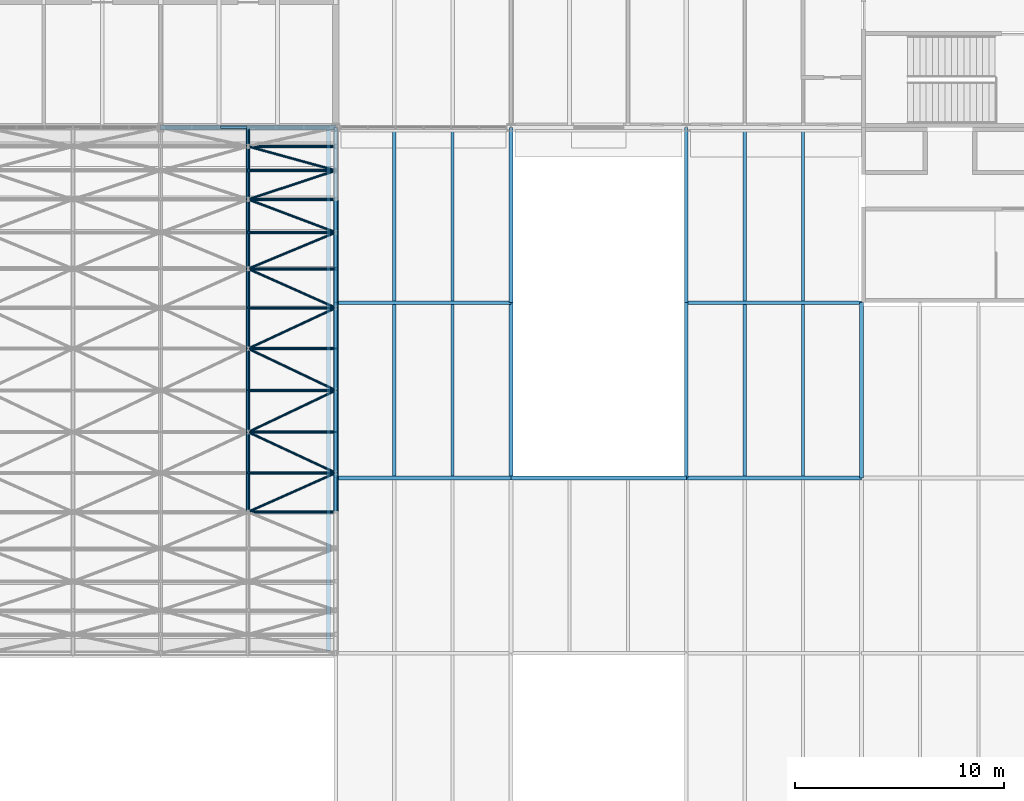
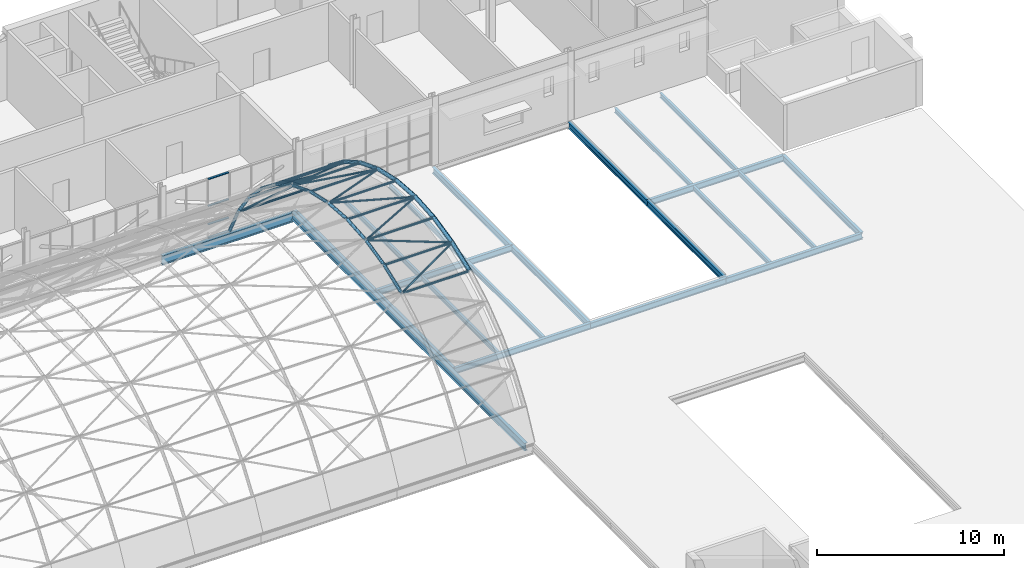
# One storey, part 57 of 121: 44 members, 22 beams, 1 element without a shape of its own.
"""IFC4 building model written with IfcOpenShell, lengths in metres."""

from ifc_helpers import new_model, si_unit, direction, frame, origin, origin_2d, place, context, subcontext, project, spatial, rectangle, hollow_circle, i_section, extrude, material, layer, layer_set, material_profile, profile_set, type_object, element, aggregate, save


model = new_model("IFC4")

# Units and contexts
model_context = context("Model", 3, precision=1e-05, world=origin(), true_north=direction((0.0, 1.0)))
body_context = subcontext(model_context, "Body", "Model", "MODEL_VIEW")
ifc_project = project(units=[si_unit("LENGTHUNIT", "METRE"), si_unit("AREAUNIT", "SQUARE_METRE"), si_unit("VOLUMEUNIT", "CUBIC_METRE"), si_unit("PLANEANGLEUNIT", "RADIAN"), si_unit("MASSUNIT", "GRAM", prefix="KILO")], contexts=[model_context])

# Site, building, storey
site_placement = place(None, origin())
site = spatial("IfcSite", under=ifc_project, at=site_placement, CompositionType="ELEMENT")
building_placement = place(site_placement, origin())
building = spatial("IfcBuilding", under=site, at=building_placement, Name="Ardhachandra Cancer Care Centre", CompositionType="ELEMENT")
storey_placement = place(building_placement, frame((0.0, 0.0, 9.0)))
storey = spatial("IfcBuildingStorey", under=building, at=storey_placement, Name="L02", CompositionType="ELEMENT", Elevation=9.0)

# Beams
ifc_material_1 = material(Name="Steel E350 (IS 2062)", Category="steel")
ifc_material_profile_1 = material_profile(ifc_material_1, i_section(OverallWidth=0.152099609375, OverallDepth=0.303955078125, WebThickness=0.008056640625, FlangeThickness=0.0126953125, FilletRadius=0.014892578125, at=origin_2d()), Name="NPB 300x150x49.32")
ifc_profile_set_1 = profile_set([ifc_material_profile_1], Name="Steel E350 (IS 2062)")
beam_type_1 = type_object("IfcBeamType", Name="Beam NPB 300x150x49.32", PredefinedType="BEAM", material=ifc_profile_set_1)
beam_1_placement = place(storey_placement, frame((114.39990234375, 63.090087890625, -0.35205078125), z_axis=(0.0, 1.0, 0.0), x_axis=(-1.0, 0.0, 0.0)))
element("IfcBeam", 1, at=beam_1_placement, inside=storey, type_object=beam_type_1, Name="Secondary G13-H13@2800", PredefinedType="BEAM", context=body_context, shape_type="SweptSolid", body=[
    extrude(i_section(OverallWidth=0.152099609375, OverallDepth=0.303955078125, WebThickness=0.008056640625, FlangeThickness=0.0126953125, FilletRadius=0.014892578125, at=origin_2d()), origin(), (0.0, 0.0, 1.0), 8.219970703125),
])
beam_2_placement = place(storey_placement, frame((114.39990234375, 71.489990234375, -0.35205078125), z_axis=(0.0, 1.0, 0.0), x_axis=(-1.0, 0.0, 0.0)))
element("IfcBeam", 2, at=beam_2_placement, inside=storey, type_object=beam_type_1, Name="Secondary H13-J13@2800", PredefinedType="BEAM", context=body_context, shape_type="SweptSolid", body=[
    extrude(i_section(OverallWidth=0.152099609375, OverallDepth=0.303955078125, WebThickness=0.008056640625, FlangeThickness=0.0126953125, FilletRadius=0.014892578125, at=origin_2d()), origin(), (0.0, 0.0, 1.0), 8.22412109375),
])
beam_3_placement = place(storey_placement, frame((117.199951171875, 63.090087890625, -0.35205078125), z_axis=(0.0, 1.0, 0.0), x_axis=(-1.0, 0.0, 0.0)))
element("IfcBeam", 3, at=beam_3_placement, inside=storey, type_object=beam_type_1, Name="Secondary G13-H13@5600", PredefinedType="BEAM", context=body_context, shape_type="SweptSolid", body=[
    extrude(i_section(OverallWidth=0.152099609375, OverallDepth=0.303955078125, WebThickness=0.008056640625, FlangeThickness=0.0126953125, FilletRadius=0.014892578125, at=origin_2d()), origin(), (0.0, 0.0, 1.0), 8.219970703125),
])
beam_4_placement = place(storey_placement, frame((117.199951171875, 71.489990234375, -0.35205078125), z_axis=(0.0, 1.0, 0.0), x_axis=(-1.0, 0.0, 0.0)))
element("IfcBeam", 4, at=beam_4_placement, inside=storey, type_object=beam_type_1, Name="Secondary H13-J13@5600", PredefinedType="BEAM", context=body_context, shape_type="SweptSolid", body=[
    extrude(i_section(OverallWidth=0.152099609375, OverallDepth=0.303955078125, WebThickness=0.008056640625, FlangeThickness=0.0126953125, FilletRadius=0.014892578125, at=origin_2d()), origin(), (0.0, 0.0, 1.0), 8.22412109375),
])
beam_5_placement = place(storey_placement, frame((131.199951171875, 63.090087890625, -0.35205078125), z_axis=(0.0, 1.0, 0.0), x_axis=(-1.0, 0.0, 0.0)))
element("IfcBeam", 5, at=beam_5_placement, inside=storey, type_object=beam_type_1, Name="Secondary G15-H15@2800", PredefinedType="BEAM", context=body_context, shape_type="SweptSolid", body=[
    extrude(i_section(OverallWidth=0.152099609375, OverallDepth=0.303955078125, WebThickness=0.008056640625, FlangeThickness=0.0126953125, FilletRadius=0.014892578125, at=origin_2d()), origin(), (0.0, 0.0, 1.0), 8.219970703125),
])
beam_6_placement = place(storey_placement, frame((131.199951171875, 71.489990234375, -0.35205078125), z_axis=(0.0, 1.0, 0.0), x_axis=(-1.0, 0.0, 0.0)))
element("IfcBeam", 6, at=beam_6_placement, inside=storey, type_object=beam_type_1, Name="Secondary H15-J15@2800", PredefinedType="BEAM", context=body_context, shape_type="SweptSolid", body=[
    extrude(i_section(OverallWidth=0.152099609375, OverallDepth=0.303955078125, WebThickness=0.008056640625, FlangeThickness=0.0126953125, FilletRadius=0.014892578125, at=origin_2d()), origin(), (0.0, 0.0, 1.0), 8.22412109375),
])
beam_7_placement = place(storey_placement, frame((134.0, 63.090087890625, -0.35205078125), z_axis=(0.0, 1.0, 0.0), x_axis=(-1.0, 0.0, 0.0)))
element("IfcBeam", 7, at=beam_7_placement, inside=storey, type_object=beam_type_1, Name="Secondary G15-H15@5600", PredefinedType="BEAM", context=body_context, shape_type="SweptSolid", body=[
    extrude(i_section(OverallWidth=0.152099609375, OverallDepth=0.303955078125, WebThickness=0.008056640625, FlangeThickness=0.0126953125, FilletRadius=0.014892578125, at=origin_2d()), origin(), (0.0, 0.0, 1.0), 8.219970703125),
])
beam_8_placement = place(storey_placement, frame((134.0, 71.489990234375, -0.35205078125), z_axis=(0.0, 1.0, 0.0), x_axis=(-1.0, 0.0, 0.0)))
element("IfcBeam", 8, at=beam_8_placement, inside=storey, type_object=beam_type_1, Name="Secondary H15-J15@5600", PredefinedType="BEAM", context=body_context, shape_type="SweptSolid", body=[
    extrude(i_section(OverallWidth=0.152099609375, OverallDepth=0.303955078125, WebThickness=0.008056640625, FlangeThickness=0.0126953125, FilletRadius=0.014892578125, at=origin_2d()), origin(), (0.0, 0.0, 1.0), 8.22412109375),
])
ifc_material_2 = material(Name="Steel E350 (IS 2062)", Category="steel")
ifc_material_profile_2 = material_profile(ifc_material_2, i_section(OverallWidth=0.172119140625, OverallDepth=0.364013671875, WebThickness=0.00927734375, FlangeThickness=0.0146484375, FilletRadius=0.01806640625, at=origin_2d()), Name="NPB 350x170x66.04")
ifc_profile_set_2 = profile_set([ifc_material_profile_2], Name="Steel E350 (IS 2062)")
beam_type_2 = type_object("IfcBeamType", Name="Beam NPB 350x170x66.04", PredefinedType="BEAM", material=ifc_profile_set_2)
beam_9_placement = place(storey_placement, frame((111.60009765625, 63.0, -0.382080078125), z_axis=(0.0, 1.0, 0.0), x_axis=(-1.0, 0.0, 0.0)))
element("IfcBeam", 9, at=beam_9_placement, inside=storey, type_object=beam_type_2, Name="Edge girder G13-H13", PredefinedType="BEAM", context=body_context, shape_type="SweptSolid", body=[
    extrude(i_section(OverallWidth=0.172119140625, OverallDepth=0.364013671875, WebThickness=0.00927734375, FlangeThickness=0.0146484375, FilletRadius=0.01806640625, at=origin_2d()), origin(), (0.0, 0.0, 1.0), 8.39990234375),
])
beam_10_placement = place(storey_placement, frame((111.60009765625, 71.39990234375, -0.382080078125), z_axis=(0.0, 1.0, 0.0), x_axis=(-1.0, 0.0, 0.0)))
element("IfcBeam", 10, at=beam_10_placement, inside=storey, type_object=beam_type_2, Name="Edge girder H13-J13", PredefinedType="BEAM", context=body_context, shape_type="SweptSolid", body=[
    extrude(i_section(OverallWidth=0.172119140625, OverallDepth=0.364013671875, WebThickness=0.00927734375, FlangeThickness=0.0146484375, FilletRadius=0.01806640625, at=origin_2d()), origin(), (0.0, 0.0, 1.0), 8.400146484375),
])
ifc_material_3 = material(Name="Steel E350 (IS 2062)", Category="steel")
ifc_material_profile_3 = material_profile(ifc_material_3, i_section(OverallWidth=0.179931640625, OverallDepth=0.39990234375, WebThickness=0.008544921875, FlangeThickness=0.013427734375, FilletRadius=0.02099609375, at=origin_2d()), Name="NPB 400x180x66.30")
ifc_profile_set_3 = profile_set([ifc_material_profile_3], Name="Steel E350 (IS 2062)")
beam_type_3 = type_object("IfcBeamType", Name="Beam NPB 400x180x66.30", PredefinedType="BEAM", material=ifc_profile_set_3)
for number, where, z_axis, x_axis, name in (
    (11, (111.60009765625, 63.0, -0.39990234375), (1.0, 0.0, 0.0), (0.0, 1.0, 0.0), "Girder G13-G14"),
    (12, (120.0, 63.0, -0.39990234375), (1.0, 0.0, 0.0), (0.0, 1.0, 0.0), "Girder G14-G15"),
):
    element("IfcBeam", number, at=place(storey_placement, frame(where, z_axis=z_axis, x_axis=x_axis)), inside=storey, type_object=beam_type_3, Name=name, PredefinedType="BEAM", context=body_context, shape_type="SweptSolid", body=[
        extrude(i_section(OverallWidth=0.179931640625, OverallDepth=0.39990234375, WebThickness=0.008544921875, FlangeThickness=0.013427734375, FilletRadius=0.02099609375, at=origin_2d()), origin(), (0.0, 0.0, 1.0), 8.39990234375),
    ])
beam_11_placement = place(storey_placement, frame((128.39990234375, 63.0, -0.39990234375), z_axis=(1.0, 0.0, 0.0), x_axis=(0.0, 1.0, 0.0)))
element("IfcBeam", 13, at=beam_11_placement, inside=storey, type_object=beam_type_3, Name="Girder G15-G16", PredefinedType="BEAM", context=body_context, shape_type="SweptSolid", body=[
    extrude(i_section(OverallWidth=0.179931640625, OverallDepth=0.39990234375, WebThickness=0.008544921875, FlangeThickness=0.013427734375, FilletRadius=0.02099609375, at=origin_2d()), origin(), (0.0, 0.0, 1.0), 8.400146484375),
])
beam_12_placement = place(storey_placement, frame((111.60009765625, 71.39990234375, -0.39990234375), z_axis=(1.0, 0.0, 0.0), x_axis=(0.0, 1.0, 0.0)))
element("IfcBeam", 14, at=beam_12_placement, inside=storey, type_object=beam_type_3, Name="Girder H13-H14", PredefinedType="BEAM", context=body_context, shape_type="SweptSolid", body=[
    extrude(i_section(OverallWidth=0.179931640625, OverallDepth=0.39990234375, WebThickness=0.008544921875, FlangeThickness=0.013427734375, FilletRadius=0.02099609375, at=origin_2d()), origin(), (0.0, 0.0, 1.0), 8.39990234375),
])
beam_13_placement = place(storey_placement, frame((128.39990234375, 71.39990234375, -0.39990234375), z_axis=(1.0, 0.0, 0.0), x_axis=(0.0, 1.0, 0.0)))
element("IfcBeam", 15, at=beam_13_placement, inside=storey, type_object=beam_type_3, Name="Girder H15-H16", PredefinedType="BEAM", context=body_context, shape_type="SweptSolid", body=[
    extrude(i_section(OverallWidth=0.179931640625, OverallDepth=0.39990234375, WebThickness=0.008544921875, FlangeThickness=0.013427734375, FilletRadius=0.02099609375, at=origin_2d()), origin(), (0.0, 0.0, 1.0), 8.400146484375),
])
beam_14_placement = place(storey_placement, frame((120.0, 63.0, -0.39990234375), z_axis=(0.0, 1.0, 0.0), x_axis=(-1.0, 0.0, 0.0)))
element("IfcBeam", 16, at=beam_14_placement, inside=storey, type_object=beam_type_3, Name="Girder G14-H14", PredefinedType="BEAM", context=body_context, shape_type="SweptSolid", body=[
    extrude(i_section(OverallWidth=0.179931640625, OverallDepth=0.39990234375, WebThickness=0.008544921875, FlangeThickness=0.013427734375, FilletRadius=0.02099609375, at=origin_2d()), origin(), (0.0, 0.0, 1.0), 8.39990234375),
])
beam_15_placement = place(storey_placement, frame((120.0, 71.39990234375, -0.39990234375), z_axis=(0.0, 1.0, 0.0), x_axis=(-1.0, 0.0, 0.0)))
element("IfcBeam", 17, at=beam_15_placement, inside=storey, type_object=beam_type_3, Name="Girder H14-J14", PredefinedType="BEAM", context=body_context, shape_type="SweptSolid", body=[
    extrude(i_section(OverallWidth=0.179931640625, OverallDepth=0.39990234375, WebThickness=0.008544921875, FlangeThickness=0.013427734375, FilletRadius=0.02099609375, at=origin_2d()), origin(), (0.0, 0.0, 1.0), 8.400146484375),
])
beam_16_placement = place(storey_placement, frame((128.39990234375, 63.0, -0.39990234375), z_axis=(0.0, 1.0, 0.0), x_axis=(-1.0, 0.0, 0.0)))
element("IfcBeam", 18, at=beam_16_placement, inside=storey, type_object=beam_type_3, Name="Girder G15-H15", PredefinedType="BEAM", context=body_context, shape_type="SweptSolid", body=[
    extrude(i_section(OverallWidth=0.179931640625, OverallDepth=0.39990234375, WebThickness=0.008544921875, FlangeThickness=0.013427734375, FilletRadius=0.02099609375, at=origin_2d()), origin(), (0.0, 0.0, 1.0), 8.39990234375),
])
beam_17_placement = place(storey_placement, frame((128.39990234375, 71.39990234375, -0.39990234375), z_axis=(0.0, 1.0, 0.0), x_axis=(-1.0, 0.0, 0.0)))
element("IfcBeam", 19, at=beam_17_placement, inside=storey, type_object=beam_type_3, Name="Girder H15-J15", PredefinedType="BEAM", context=body_context, shape_type="SweptSolid", body=[
    extrude(i_section(OverallWidth=0.179931640625, OverallDepth=0.39990234375, WebThickness=0.008544921875, FlangeThickness=0.013427734375, FilletRadius=0.02099609375, at=origin_2d()), origin(), (0.0, 0.0, 1.0), 8.400146484375),
])
beam_18_placement = place(storey_placement, frame((136.800048828125, 63.0, -0.39990234375), z_axis=(0.0, 1.0, 0.0), x_axis=(-1.0, 0.0, 0.0)))
element("IfcBeam", 20, at=beam_18_placement, inside=storey, type_object=beam_type_3, Name="Girder G16-H16", PredefinedType="BEAM", context=body_context, shape_type="SweptSolid", body=[
    extrude(i_section(OverallWidth=0.179931640625, OverallDepth=0.39990234375, WebThickness=0.008544921875, FlangeThickness=0.013427734375, FilletRadius=0.02099609375, at=origin_2d()), origin(), (0.0, 0.0, 1.0), 8.39990234375),
])
ifc_material_4 = material(Name="Steel E350 (IS 2062)", Category="steel")
ifc_material_profile_4 = material_profile(ifc_material_4, i_section(OverallWidth=0.22412109375, OverallDepth=0.610107421875, WebThickness=0.014892578125, FlangeThickness=0.02392578125, FilletRadius=0.02392578125, at=origin_2d()), Name="NPB 600x220x154.46")
ifc_profile_set_4 = profile_set([ifc_material_profile_4], Name="Steel E350 (IS 2062)")
beam_type_4 = type_object("IfcBeamType", Name="Beam NPB 600x220x154.46", PredefinedType="BEAM", material=ifc_profile_set_4)
beam_19_placement = place(storey_placement, frame((103.199951171875, 79.800048828125, -0.41455078125), z_axis=(1.0, 0.0, 0.0), x_axis=(0.0, 1.0, 0.0)))
element("IfcBeam", 21, at=beam_19_placement, inside=storey, type_object=beam_type_4, Name="Shell edge beam J12-J13", PredefinedType="BEAM", context=body_context, shape_type="SweptSolid", body=[
    extrude(i_section(OverallWidth=0.22412109375, OverallDepth=0.610107421875, WebThickness=0.014892578125, FlangeThickness=0.02392578125, FilletRadius=0.02392578125, at=origin_2d()), origin(), (0.0, 0.0, 1.0), 8.400146484375),
])

# Curtain wall, members
ifc_material_5 = material(Name="Aluminium extrusion", Category="aluminium")
ifc_layer = layer(ifc_material_5, 0.14990234375)
ifc_layer_set = layer_set([ifc_layer], Name="Aluminium extrusion")
curtain_wall_type = type_object("IfcCurtainWallType", Name="Curtain wall run", PredefinedType="NOTDEFINED", material=ifc_layer_set)
curtain_wall_placement = place(storey_placement, origin())
curtain_wall = element("IfcCurtainWall", 22, at=curtain_wall_placement, inside=storey, type_object=curtain_wall_type, Name="Curtain wall L02 s/0103200_0079800", PredefinedType="NOTDEFINED")
ifc_material_6 = material(Name="Aluminium extrusion", Category="aluminium")
ifc_material_profile_5 = material_profile(ifc_material_6, rectangle(XDim=0.1201171875, YDim=0.06005859375, at=origin_2d()), Name="Curtain wall transom 60 x 120")
ifc_profile_set_5 = profile_set([ifc_material_profile_5], Name="Aluminium extrusion")
member_type_1 = type_object("IfcMemberType", Name="Curtain wall transom 60 x 120", PredefinedType="USERDEFINED", material=ifc_profile_set_5)
member_1_placement = place(storey_placement, frame((106.064208984375, 79.800048828125, 0.030029296875), z_axis=(1.0, 0.0, 0.0), x_axis=(0.0, 1.0, 0.0)))
member_1 = element("IfcMember", 23, at=member_1_placement, type_object=member_type_1, Name="CW transom 3.1", ObjectType="TRANSOM", PredefinedType="USERDEFINED", context=body_context, shape_type="SweptSolid", body=[
    extrude(rectangle(XDim=0.1201171875, YDim=0.06005859375, at=origin_2d()), origin(), (0.0, 0.0, 1.0), 1.281982421875),
])
member_2_placement = place(storey_placement, frame((106.064208984375, 79.800048828125, 0.89990234375), z_axis=(1.0, 0.0, 0.0), x_axis=(0.0, 1.0, 0.0)))
member_2 = element("IfcMember", 24, at=member_2_placement, type_object=member_type_1, Name="CW transom 3.2", ObjectType="TRANSOM", PredefinedType="USERDEFINED", context=body_context, shape_type="SweptSolid", body=[
    extrude(rectangle(XDim=0.1201171875, YDim=0.06005859375, at=origin_2d()), origin(), (0.0, 0.0, 1.0), 1.281982421875),
])
member_3_placement = place(storey_placement, frame((106.064208984375, 79.800048828125, 2.10009765625), z_axis=(1.0, 0.0, 0.0), x_axis=(0.0, 1.0, 0.0)))
member_3 = element("IfcMember", 25, at=member_3_placement, type_object=member_type_1, Name="CW transom 3.3", ObjectType="TRANSOM", PredefinedType="USERDEFINED", context=body_context, shape_type="SweptSolid", body=[
    extrude(rectangle(XDim=0.1201171875, YDim=0.06005859375, at=origin_2d()), origin(), (0.0, 0.0, 1.0), 1.281982421875),
])
member_4_placement = place(storey_placement, frame((106.064208984375, 79.800048828125, 3.85595703125), z_axis=(1.0, 0.0, 0.0), x_axis=(0.0, 1.0, 0.0)))
member_4 = element("IfcMember", 26, at=member_4_placement, type_object=member_type_1, Name="CW transom 3.4", ObjectType="TRANSOM", PredefinedType="USERDEFINED", context=body_context, shape_type="SweptSolid", body=[
    extrude(rectangle(XDim=0.1201171875, YDim=0.06005859375, at=origin_2d()), origin(), (0.0, 0.0, 1.0), 1.281982421875),
])
aggregate(curtain_wall, [member_1, member_2, member_3, member_4])

# Beam
ifc_material_7 = material(Name="Steel E350 (IS 2062)", Category="steel")
ifc_material_profile_6 = material_profile(ifc_material_7, i_section(OverallWidth=0.199951171875, OverallDepth=0.5, WebThickness=0.01025390625, FlangeThickness=0.01611328125, FilletRadius=0.02099609375, at=origin_2d()), Name="NPB 500x200x90.68")
ifc_profile_set_6 = profile_set([ifc_material_profile_6], Name="Steel E350 (IS 2062)")
beam_type_5 = type_object("IfcBeamType", Name="Gable sill beam NPB 500x200x90.68", PredefinedType="BEAM", material=ifc_profile_set_6)
beam_20_placement = place(storey_placement, frame((111.2451171875, 54.7099609375, -0.25), z_axis=(0.0, 1.0, 0.0), x_axis=(-1.0, 0.0, 0.0)))
element("IfcBeam", 27, at=beam_20_placement, inside=storey, type_object=beam_type_5, Name="Hall gable sill beam east", PredefinedType="BEAM", context=body_context, shape_type="SweptSolid", body=[
    extrude(i_section(OverallWidth=0.199951171875, OverallDepth=0.5, WebThickness=0.01025390625, FlangeThickness=0.01611328125, FilletRadius=0.02099609375, at=origin_2d()), origin(), (0.0, 0.0, 1.0), 24.97998046875),
])

# Members
ifc_material_8 = material(Name="Steel E350 (IS 2062)", Category="steel")
ifc_material_profile_7 = material_profile(ifc_material_8, hollow_circle(Radius=0.05712890625, WallThickness=0.0048828125, at=origin_2d()), Name="CHS 114.3x5.0")
ifc_profile_set_7 = profile_set([ifc_material_profile_7], Name="Steel E350 (IS 2062)")
member_type_2 = type_object("IfcMemberType", Name="Hall shell Diagonal CHS 114.3x5.0", PredefinedType="BRACE", material=ifc_profile_set_7)
for number, where, z_axis, x_axis, name in (
    (28, (107.39990234375, 61.37353515625, 7.093994140625), (0.902476632176, 0.401980843546, 0.154749248135), (-0.406882236734, 0.913480621267, 0.0), "Hall shell diagonal 15-05"),
    (29, (111.60009765625, 63.244384765625, 7.814208984375), (-0.902464567995, 0.420335304775, 0.094212181128), (-0.422213249889, -0.906496537014, 0.0), "Hall shell diagonal 16-06"),
    (30, (107.39990234375, 65.20068359375, 8.252685546875), (0.902477549799, 0.429573858132, 0.031631827629), (-0.42978892944, 0.902929386016, 0.0), "Hall shell diagonal 15-07"),
    (31, (111.60009765625, 67.199951171875, 8.39990234375), (-0.902477549799, 0.429573858132, -0.031631827629), (-0.42978892944, -0.902929386016, 0.0), "Hall shell diagonal 16-08"),
    (32, (107.39990234375, 69.19921875, 8.252685546875), (0.902464567995, 0.420335304775, -0.094212181128), (-0.422213249889, 0.906496537014, 0.0), "Hall shell diagonal 15-09"),
    (33, (111.60009765625, 71.155517578125, 7.814208984375), (-0.902476632176, 0.401980843546, -0.154749248135), (-0.406882236734, -0.913480621267, 0.0), "Hall shell diagonal 16-10"),
    (34, (107.39990234375, 73.0263671875, 7.093994140625), (0.90245948097, 0.375010627148, -0.21197621266), (-0.383730980501, 0.923444927759, 0.0), "Hall shell diagonal 15-11"),
    (35, (111.60009765625, 74.771728515625, 6.107421875), (-0.90248245832, 0.33987350892, -0.264596693779), (-0.352434573121, -0.935836455621, 0.0), "Hall shell diagonal 16-12"),
    (36, (107.39990234375, 76.353515625, 4.8759765625), (0.902466831544, 0.297482527417, -0.311540950508), (-0.313062809615, 0.94973242402, 0.0), "Hall shell diagonal 15-13"),
    (37, (111.60009765625, 77.738037109375, 3.426025390625), (-0.902471059448, 0.24859395203, -0.351776966093), (-0.26556803985, -0.964092120189, 0.0), "Hall shell diagonal 16-14"),
):
    element("IfcMember", number, at=place(storey_placement, frame(where, z_axis=z_axis, x_axis=x_axis)), inside=storey, type_object=member_type_2, Name=name, PredefinedType="BRACE", context=body_context, shape_type="SweptSolid", body=[
        extrude(hollow_circle(Radius=0.05712890625, WallThickness=0.0048828125, at=origin_2d()), origin(), (0.0, 0.0, 1.0), 4.654052734375),
    ])
ifc_material_9 = material(Name="Steel E350 (IS 2062)", Category="steel")
ifc_material_profile_8 = material_profile(ifc_material_9, hollow_circle(Radius=0.06982421875, WallThickness=0.0048828125, at=origin_2d()), Name="CHS 139.7x5.0")
ifc_profile_set_8 = profile_set([ifc_material_profile_8], Name="Steel E350 (IS 2062)")
member_type_3 = type_object("IfcMemberType", Name="Hall shell Purlin CHS 139.7x5.0", PredefinedType="PURLIN", material=ifc_profile_set_8)
for number, where, z_axis, x_axis, name in (
    (38, (107.39990234375, 61.37353515625, 7.093994140625), (1.0, 0.0, 0.0), (0.0, 1.0, 0.0), "Hall shell purlin 15-05"),
    (39, (107.39990234375, 63.244384765625, 7.814208984375), (1.0, 0.0, 0.0), (0.0, 1.0, 0.0), "Hall shell purlin 15-06"),
    (40, (107.39990234375, 65.20068359375, 8.252685546875), (1.0, 0.0, 0.0), (0.0, 1.0, 0.0), "Hall shell purlin 15-07"),
    (41, (107.39990234375, 67.199951171875, 8.39990234375), (1.0, 0.0, 0.0), (0.0, 1.0, 0.0), "Hall shell purlin 15-08"),
    (42, (107.39990234375, 69.19921875, 8.252685546875), (1.0, 0.0, 0.0), (0.0, 1.0, 0.0), "Hall shell purlin 15-09"),
    (43, (107.39990234375, 71.155517578125, 7.814208984375), (1.0, 0.0, 0.0), (0.0, 1.0, 0.0), "Hall shell purlin 15-10"),
    (44, (107.39990234375, 73.0263671875, 7.093994140625), (1.0, 0.0, 0.0), (0.0, 1.0, 0.0), "Hall shell purlin 15-11"),
    (45, (107.39990234375, 74.771728515625, 6.107421875), (1.0, 0.0, 0.0), (0.0, 1.0, 0.0), "Hall shell purlin 15-12"),
    (46, (107.39990234375, 76.353515625, 4.8759765625), (1.0, 0.0, 0.0), (0.0, 1.0, 0.0), "Hall shell purlin 15-13"),
    (47, (107.39990234375, 77.738037109375, 3.426025390625), (1.0, 0.0, 0.0), (0.0, 1.0, 0.0), "Hall shell purlin 15-14"),
    (48, (107.39990234375, 78.89501953125, 1.788818359375), (1.0, 0.0, 0.0), (0.0, 1.0, 0.0), "Hall shell purlin 15-15"),
):
    element("IfcMember", number, at=place(storey_placement, frame(where, z_axis=z_axis, x_axis=x_axis)), inside=storey, type_object=member_type_3, Name=name, PredefinedType="PURLIN", context=body_context, shape_type="SweptSolid", body=[
        extrude(hollow_circle(Radius=0.06982421875, WallThickness=0.0048828125, at=origin_2d()), origin(), (0.0, 0.0, 1.0), 4.2001953125),
    ])
ifc_material_10 = material(Name="Steel E350 (IS 2062)", Category="steel")
ifc_material_profile_9 = material_profile(ifc_material_10, hollow_circle(Radius=0.096923828125, WallThickness=0.008056640625, at=origin_2d()), Name="CHS 193.7x8.0")
ifc_profile_set_9 = profile_set([ifc_material_profile_9], Name="Steel E350 (IS 2062)")
member_type_4 = type_object("IfcMemberType", Name="Hall shell Rib CHS 193.7x8.0", PredefinedType="RAFTER", material=ifc_profile_set_9)
member_5_placement = place(storey_placement, frame((107.39990234375, 61.37353515625, 7.093994140625), z_axis=(0.0, 0.933235705219, 0.359264691426), x_axis=(-1.0, 0.0, 0.0)))
element("IfcMember", 49, at=member_5_placement, inside=storey, type_object=member_type_4, Name="Hall shell rib 15-05", PredefinedType="RAFTER", context=body_context, shape_type="SweptSolid", body=[
    extrude(hollow_circle(Radius=0.096923828125, WallThickness=0.008056640625, at=origin_2d()), origin(), (0.0, 0.0, 1.0), 2.004638671875),
])
member_6_placement = place(storey_placement, frame((107.39990234375, 63.244384765625, 7.814208984375), z_axis=(0.0, 0.9757900251, 0.218709457766), x_axis=(-1.0, 0.0, 0.0)))
element("IfcMember", 50, at=member_6_placement, inside=storey, type_object=member_type_4, Name="Hall shell rib 15-06", PredefinedType="RAFTER", context=body_context, shape_type="SweptSolid", body=[
    extrude(hollow_circle(Radius=0.096923828125, WallThickness=0.008056640625, at=origin_2d()), origin(), (0.0, 0.0, 1.0), 2.0048828125),
])
for number, where, z_axis, x_axis, name in (
    (51, (107.39990234375, 65.20068359375, 8.252685546875), (0.0, 0.997299891926, 0.073436541071), (-1.0, 0.0, 0.0), "Hall shell rib 15-07"),
    (52, (107.39990234375, 67.199951171875, 8.39990234375), (0.0, 0.997299891926, -0.073436541071), (-1.0, 0.0, 0.0), "Hall shell rib 15-08"),
):
    element("IfcMember", number, at=place(storey_placement, frame(where, z_axis=z_axis, x_axis=x_axis)), inside=storey, type_object=member_type_4, Name=name, PredefinedType="RAFTER", context=body_context, shape_type="SweptSolid", body=[
        extrude(hollow_circle(Radius=0.096923828125, WallThickness=0.008056640625, at=origin_2d()), origin(), (0.0, 0.0, 1.0), 2.004638671875),
    ])
member_7_placement = place(storey_placement, frame((107.39990234375, 69.19921875, 8.252685546875), z_axis=(0.0, 0.9757900251, -0.218709457766), x_axis=(-1.0, 0.0, 0.0)))
element("IfcMember", 53, at=member_7_placement, inside=storey, type_object=member_type_4, Name="Hall shell rib 15-09", PredefinedType="RAFTER", context=body_context, shape_type="SweptSolid", body=[
    extrude(hollow_circle(Radius=0.096923828125, WallThickness=0.008056640625, at=origin_2d()), origin(), (0.0, 0.0, 1.0), 2.0048828125),
])
member_8_placement = place(storey_placement, frame((107.39990234375, 71.155517578125, 7.814208984375), z_axis=(0.0, 0.933235705219, -0.359264691426), x_axis=(-1.0, 0.0, 0.0)))
element("IfcMember", 54, at=member_8_placement, inside=storey, type_object=member_type_4, Name="Hall shell rib 15-10", PredefinedType="RAFTER", context=body_context, shape_type="SweptSolid", body=[
    extrude(hollow_circle(Radius=0.096923828125, WallThickness=0.008056640625, at=origin_2d()), origin(), (0.0, 0.0, 1.0), 2.004638671875),
])
member_9_placement = place(storey_placement, frame((107.39990234375, 73.0263671875, 7.093994140625), z_axis=(0.0, 0.870549230609, -0.492081331779), x_axis=(-1.0, 0.0, 0.0)))
element("IfcMember", 55, at=member_9_placement, inside=storey, type_object=member_type_4, Name="Hall shell rib 15-11", PredefinedType="RAFTER", context=body_context, shape_type="SweptSolid", body=[
    extrude(hollow_circle(Radius=0.096923828125, WallThickness=0.008056640625, at=origin_2d()), origin(), (0.0, 0.0, 1.0), 2.0048828125),
])
member_10_placement = place(storey_placement, frame((107.39990234375, 74.771728515625, 6.107421875), z_axis=(0.0, 0.789070146017, -0.614303104879), x_axis=(-1.0, 0.0, 0.0)))
element("IfcMember", 56, at=member_10_placement, inside=storey, type_object=member_type_4, Name="Hall shell rib 15-12", PredefinedType="RAFTER", context=body_context, shape_type="SweptSolid", body=[
    extrude(hollow_circle(Radius=0.096923828125, WallThickness=0.008056640625, at=origin_2d()), origin(), (0.0, 0.0, 1.0), 2.004638671875),
])
member_11_placement = place(storey_placement, frame((107.39990234375, 76.353515625, 4.8759765625), z_axis=(0.0, 0.690600278641, -0.723236652239), x_axis=(-1.0, 0.0, 0.0)))
element("IfcMember", 57, at=member_11_placement, inside=storey, type_object=member_type_4, Name="Hall shell rib 15-13", PredefinedType="RAFTER", context=body_context, shape_type="SweptSolid", body=[
    extrude(hollow_circle(Radius=0.096923828125, WallThickness=0.008056640625, at=origin_2d()), origin(), (0.0, 0.0, 1.0), 2.0048828125),
])
for number, where, z_axis, x_axis, name in (
    (58, (107.39990234375, 77.738037109375, 3.426025390625), (0.0, 0.577118207202, -0.816660624076), (-1.0, 0.0, 0.0), "Hall shell rib 15-14"),
    (59, (107.39990234375, 78.89501953125, 1.788818359375), (0.0, 0.451446595645, -0.892298140355), (-1.0, 0.0, 0.0), "Hall shell rib 15-15"),
):
    element("IfcMember", number, at=place(storey_placement, frame(where, z_axis=z_axis, x_axis=x_axis)), inside=storey, type_object=member_type_4, Name=name, PredefinedType="RAFTER", context=body_context, shape_type="SweptSolid", body=[
        extrude(hollow_circle(Radius=0.096923828125, WallThickness=0.008056640625, at=origin_2d()), origin(), (0.0, 0.0, 1.0), 2.004638671875),
    ])
ifc_material_11 = material(Name="Steel E350 (IS 2062)", Category="steel")
ifc_material_profile_10 = material_profile(ifc_material_11, hollow_circle(Radius=0.122314453125, WallThickness=0.010009765625, at=origin_2d()), Name="CHS 244.5x10.0")
ifc_profile_set_10 = profile_set([ifc_material_profile_10], Name="Steel E350 (IS 2062)")
member_type_5 = type_object("IfcMemberType", Name="Hall shell Rib CHS 244.5x10.0", PredefinedType="RAFTER", material=ifc_profile_set_10)
member_12_placement = place(storey_placement, frame((111.60009765625, 61.37353515625, 7.093994140625), z_axis=(0.0, 0.933235705219, 0.359264691426), x_axis=(-1.0, 0.0, 0.0)))
element("IfcMember", 60, at=member_12_placement, inside=storey, type_object=member_type_5, Name="Hall shell rib 16-05", PredefinedType="RAFTER", context=body_context, shape_type="SweptSolid", body=[
    extrude(hollow_circle(Radius=0.122314453125, WallThickness=0.010009765625, at=origin_2d()), origin(), (0.0, 0.0, 1.0), 2.004638671875),
])
member_13_placement = place(storey_placement, frame((111.60009765625, 63.244384765625, 7.814208984375), z_axis=(0.0, 0.9757900251, 0.218709457766), x_axis=(-1.0, 0.0, 0.0)))
element("IfcMember", 61, at=member_13_placement, inside=storey, type_object=member_type_5, Name="Hall shell rib 16-06", PredefinedType="RAFTER", context=body_context, shape_type="SweptSolid", body=[
    extrude(hollow_circle(Radius=0.122314453125, WallThickness=0.010009765625, at=origin_2d()), origin(), (0.0, 0.0, 1.0), 2.0048828125),
])
for number, where, z_axis, x_axis, name in (
    (62, (111.60009765625, 65.20068359375, 8.252685546875), (0.0, 0.997299891926, 0.073436541071), (-1.0, 0.0, 0.0), "Hall shell rib 16-07"),
    (63, (111.60009765625, 67.199951171875, 8.39990234375), (0.0, 0.997299891926, -0.073436541071), (-1.0, 0.0, 0.0), "Hall shell rib 16-08"),
):
    element("IfcMember", number, at=place(storey_placement, frame(where, z_axis=z_axis, x_axis=x_axis)), inside=storey, type_object=member_type_5, Name=name, PredefinedType="RAFTER", context=body_context, shape_type="SweptSolid", body=[
        extrude(hollow_circle(Radius=0.122314453125, WallThickness=0.010009765625, at=origin_2d()), origin(), (0.0, 0.0, 1.0), 2.004638671875),
    ])
member_14_placement = place(storey_placement, frame((111.60009765625, 69.19921875, 8.252685546875), z_axis=(0.0, 0.9757900251, -0.218709457766), x_axis=(-1.0, 0.0, 0.0)))
element("IfcMember", 64, at=member_14_placement, inside=storey, type_object=member_type_5, Name="Hall shell rib 16-09", PredefinedType="RAFTER", context=body_context, shape_type="SweptSolid", body=[
    extrude(hollow_circle(Radius=0.122314453125, WallThickness=0.010009765625, at=origin_2d()), origin(), (0.0, 0.0, 1.0), 2.0048828125),
])
member_15_placement = place(storey_placement, frame((111.60009765625, 71.155517578125, 7.814208984375), z_axis=(0.0, 0.933235705219, -0.359264691426), x_axis=(-1.0, 0.0, 0.0)))
element("IfcMember", 65, at=member_15_placement, inside=storey, type_object=member_type_5, Name="Hall shell rib 16-10", PredefinedType="RAFTER", context=body_context, shape_type="SweptSolid", body=[
    extrude(hollow_circle(Radius=0.122314453125, WallThickness=0.010009765625, at=origin_2d()), origin(), (0.0, 0.0, 1.0), 2.004638671875),
])
member_16_placement = place(storey_placement, frame((111.60009765625, 73.0263671875, 7.093994140625), z_axis=(0.0, 0.870549230609, -0.492081331779), x_axis=(-1.0, 0.0, 0.0)))
element("IfcMember", 66, at=member_16_placement, inside=storey, type_object=member_type_5, Name="Hall shell rib 16-11", PredefinedType="RAFTER", context=body_context, shape_type="SweptSolid", body=[
    extrude(hollow_circle(Radius=0.122314453125, WallThickness=0.010009765625, at=origin_2d()), origin(), (0.0, 0.0, 1.0), 2.0048828125),
])
member_17_placement = place(storey_placement, frame((111.60009765625, 74.771728515625, 6.107421875), z_axis=(0.0, 0.789070146017, -0.614303104879), x_axis=(-1.0, 0.0, 0.0)))
element("IfcMember", 67, at=member_17_placement, inside=storey, type_object=member_type_5, Name="Hall shell rib 16-12", PredefinedType="RAFTER", context=body_context, shape_type="SweptSolid", body=[
    extrude(hollow_circle(Radius=0.122314453125, WallThickness=0.010009765625, at=origin_2d()), origin(), (0.0, 0.0, 1.0), 2.004638671875),
])

save(model, "model.ifc")
